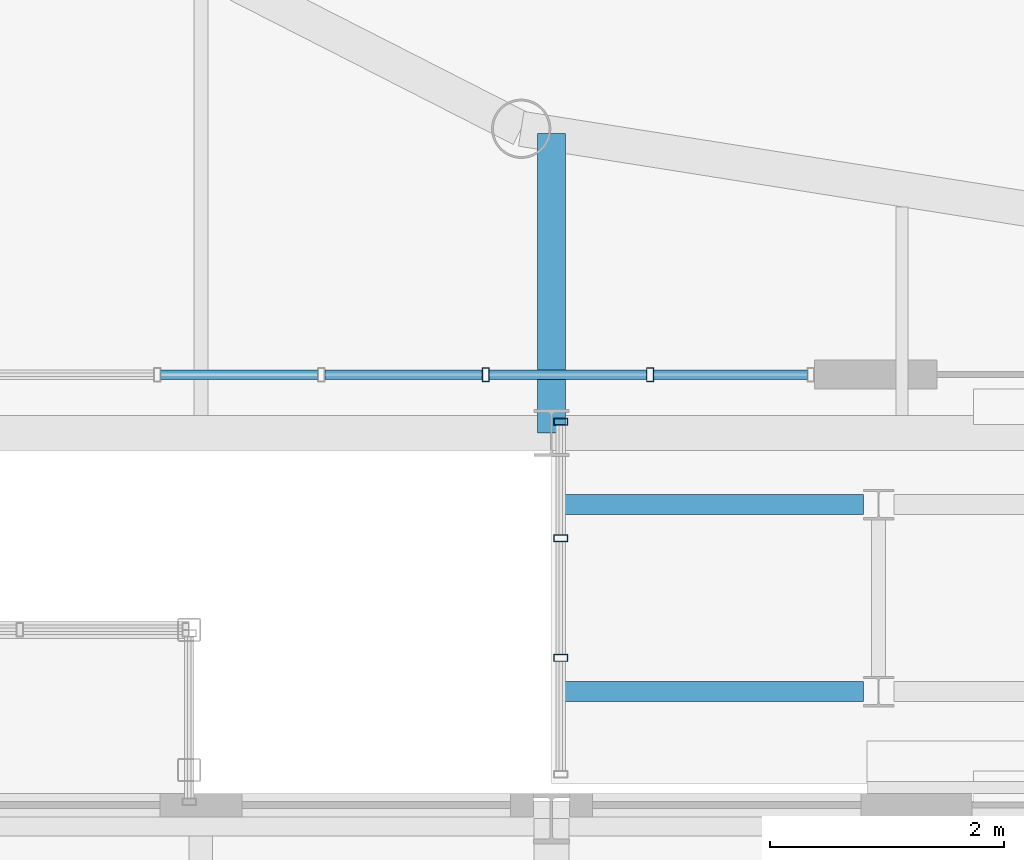
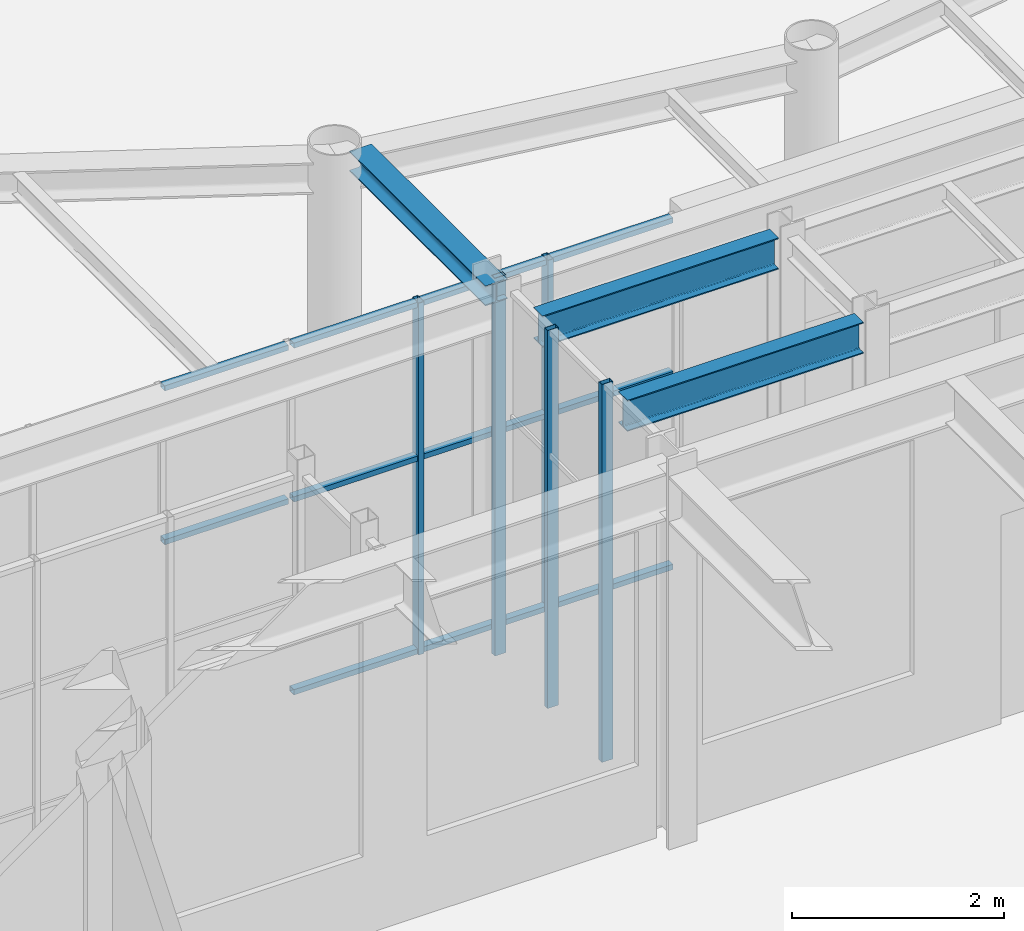
# One storey, part 45 of 149: 16 members, 3 beams, 2 elements without a shape of their own.
"""IFC4 building model written with IfcOpenShell, lengths in metres."""

from ifc_helpers import new_model, si_unit, direction, frame, origin, origin_2d, place, context, subcontext, project, spatial, hollow_rectangle, i_section, extrude, material, layer, layer_set, material_profile, profile_set, type_object, element, aggregate, save


model = new_model("IFC4")

# Units and contexts
model_context = context("Model", 3, precision=1e-05, world=origin(), true_north=direction((0.0, 1.0)))
body_context = subcontext(model_context, "Body", "Model", "MODEL_VIEW")
ifc_project = project(units=[si_unit("LENGTHUNIT", "METRE"), si_unit("AREAUNIT", "SQUARE_METRE"), si_unit("VOLUMEUNIT", "CUBIC_METRE"), si_unit("PLANEANGLEUNIT", "RADIAN"), si_unit("MASSUNIT", "GRAM", prefix="KILO")], contexts=[model_context])

# Site, building, storey
site_placement = place(None, origin())
site = spatial("IfcSite", under=ifc_project, at=site_placement, CompositionType="ELEMENT")
building_placement = place(site_placement, origin())
building = spatial("IfcBuilding", under=site, at=building_placement, Name="Kallimachos Central Library", CompositionType="ELEMENT")
storey_placement = place(building_placement, frame((0.0, 0.0, 9.89990234375)))
storey = spatial("IfcBuildingStorey", under=building, at=storey_placement, Name="L02", CompositionType="ELEMENT", Elevation=9.89990234375)

# Curtain wall, members
ifc_material_1 = material(Name="Aluminium and laminated glass", Category="aluminium")
curtain_wall_type_1 = type_object("IfcCurtainWallType", Name="Link glazed wall", PredefinedType="NOTDEFINED", material=ifc_material_1)
curtain_wall_1_placement = place(storey_placement, origin())
curtain_wall_1 = element("IfcCurtainWall", 1, at=curtain_wall_1_placement, inside=storey, type_object=curtain_wall_type_1, Name="Reading Link glazed wall L02", PredefinedType="NOTDEFINED")
ifc_material_2 = material(Name="Anodised aluminium", Category="aluminium")
ifc_material_profile_1 = material_profile(ifc_material_2, hollow_rectangle(XDim=0.06005859375, YDim=0.1201171875, WallThickness=0.00390625, at=origin_2d()), Name="ALU MULLION 60x120")
ifc_profile_set_1 = profile_set([ifc_material_profile_1], Name="Anodised aluminium")
member_type_1 = type_object("IfcMemberType", Name="ALU MULLION 60x120 mullion", PredefinedType="MULLION", material=ifc_profile_set_1)
member_1_placement = place(storey_placement, frame((83.580078125, 85.22509765625, 0.0), z_axis=(0.0, 0.0, 1.0), x_axis=(0.0, 1.0, 0.0)))
member_1 = element("IfcMember", 2, at=member_1_placement, type_object=member_type_1, Name="CW66 mullion 2", PredefinedType="MULLION", context=body_context, shape_type="SweptSolid", body=[
    extrude(hollow_rectangle(XDim=0.06005859375, YDim=0.1201171875, WallThickness=0.00390625, at=origin_2d()), origin(), (0.0, 0.0, 1.0), 4.35009765625),
])
member_2_placement = place(storey_placement, frame((83.580078125, 86.25, 0.0), z_axis=(0.0, 0.0, 1.0), x_axis=(0.0, 1.0, 0.0)))
member_2 = element("IfcMember", 3, at=member_2_placement, type_object=member_type_1, Name="CW66 mullion 3", PredefinedType="MULLION", context=body_context, shape_type="SweptSolid", body=[
    extrude(hollow_rectangle(XDim=0.06005859375, YDim=0.1201171875, WallThickness=0.00390625, at=origin_2d()), origin(), (0.0, 0.0, 1.0), 4.35009765625),
])
member_3_placement = place(storey_placement, frame((83.580078125, 87.2451171875, 0.0), z_axis=(0.0, 0.0, 1.0), x_axis=(0.0, 1.0, 0.0)))
member_3 = element("IfcMember", 4, at=member_3_placement, type_object=member_type_1, Name="CW66 mullion 4", PredefinedType="MULLION", context=body_context, shape_type="SweptSolid", body=[
    extrude(hollow_rectangle(XDim=0.06005859375, YDim=0.1201171875, WallThickness=0.00390625, at=origin_2d()), origin(), (0.0, 0.0, 1.0), 4.35009765625),
])
aggregate(curtain_wall_1, [member_1, member_2, member_3])

ifc_material_3 = material(Name="Anodised aluminium and laminated glass", Category="aluminium")
ifc_layer = layer(ifc_material_3, 0.159912109375)
ifc_layer_set = layer_set([ifc_layer], Name="Glass box curtain wall")
curtain_wall_type_2 = type_object("IfcCurtainWallType", Name="Glass box curtain wall", PredefinedType="NOTDEFINED", material=ifc_layer_set)
curtain_wall_2_placement = place(storey_placement, origin())
curtain_wall_2 = element("IfcCurtainWall", 5, at=curtain_wall_2_placement, inside=storey, type_object=curtain_wall_type_2, Name="Glass box curtain wall S L02", PredefinedType="NOTDEFINED")
ifc_material_4 = material(Name="Anodised aluminium", Category="aluminium")
ifc_material_profile_2 = material_profile(ifc_material_4, hollow_rectangle(XDim=0.06005859375, YDim=0.1201171875, WallThickness=0.00390625, at=origin_2d()), Name="ALU MULLION 60x120")
ifc_profile_set_2 = profile_set([ifc_material_profile_2], Name="Anodised aluminium")
member_type_2 = type_object("IfcMemberType", Name="Glass box mullion 60x120", PredefinedType="MULLION", material=ifc_profile_set_2)
member_4_placement = place(storey_placement, frame((82.9375, 87.64990234375, 0.0), z_axis=(0.0, 0.0, 1.0), x_axis=(1.0, 0.0, 0.0)))
member_4 = element("IfcMember", 6, at=member_4_placement, type_object=member_type_2, Name="CW12 mullion 7", PredefinedType="MULLION", context=body_context, shape_type="SweptSolid", body=[
    extrude(hollow_rectangle(XDim=0.06005859375, YDim=0.1201171875, WallThickness=0.00390625, at=origin_2d()), origin(), (0.0, 0.0, 1.0), 4.050048828125),
])
member_5_placement = place(storey_placement, frame((84.34375, 87.64990234375, 0.0), z_axis=(0.0, 0.0, 1.0), x_axis=(1.0, 0.0, 0.0)))
member_5 = element("IfcMember", 7, at=member_5_placement, type_object=member_type_2, Name="CW12 mullion 8", PredefinedType="MULLION", context=body_context, shape_type="SweptSolid", body=[
    extrude(hollow_rectangle(XDim=0.06005859375, YDim=0.1201171875, WallThickness=0.00390625, at=origin_2d()), origin(), (0.0, 0.0, 1.0), 4.050048828125),
])
ifc_material_5 = material(Name="Anodised aluminium", Category="aluminium")
ifc_material_profile_3 = material_profile(ifc_material_5, hollow_rectangle(XDim=0.06005859375, YDim=0.080078125, WallThickness=0.00390625, at=origin_2d()), Name="ALU TRANSOM 60x80")
ifc_profile_set_3 = profile_set([ifc_material_profile_3], Name="Anodised aluminium")
member_type_3 = type_object("IfcMemberType", Name="Glass box transom 60x80", PredefinedType="USERDEFINED", material=ifc_profile_set_3)
member_6_placement = place(storey_placement, frame((80.155029296875, 87.64990234375, 2.25), z_axis=(1.0, 0.0, 0.0), x_axis=(0.0, 0.0, 1.0)))
member_6 = element("IfcMember", 8, at=member_6_placement, type_object=member_type_3, Name="CW12 transom 5.2", ObjectType="TRANSOM", PredefinedType="USERDEFINED", context=body_context, shape_type="SweptSolid", body=[
    extrude(hollow_rectangle(XDim=0.06005859375, YDim=0.080078125, WallThickness=0.00390625, at=origin_2d()), origin(), (0.0, 0.0, 1.0), 1.34619140625),
])
member_7_placement = place(storey_placement, frame((80.155029296875, 87.64990234375, 4.02001953125), z_axis=(1.0, 0.0, 0.0), x_axis=(0.0, 0.0, 1.0)))
member_7 = element("IfcMember", 9, at=member_7_placement, type_object=member_type_3, Name="CW12 transom 5.3", ObjectType="TRANSOM", PredefinedType="USERDEFINED", context=body_context, shape_type="SweptSolid", body=[
    extrude(hollow_rectangle(XDim=0.06005859375, YDim=0.080078125, WallThickness=0.00390625, at=origin_2d()), origin(), (0.0, 0.0, 1.0), 1.34619140625),
])
member_8_placement = place(storey_placement, frame((81.561279296875, 87.64990234375, 0.030029296875), z_axis=(1.0, 0.0, 0.0), x_axis=(0.0, 0.0, 1.0)))
member_8 = element("IfcMember", 10, at=member_8_placement, type_object=member_type_3, Name="CW12 transom 6.1", ObjectType="TRANSOM", PredefinedType="USERDEFINED", context=body_context, shape_type="SweptSolid", body=[
    extrude(hollow_rectangle(XDim=0.06005859375, YDim=0.080078125, WallThickness=0.00390625, at=origin_2d()), origin(), (0.0, 0.0, 1.0), 1.34619140625),
])
member_9_placement = place(storey_placement, frame((81.561279296875, 87.64990234375, 2.25), z_axis=(1.0, 0.0, 0.0), x_axis=(0.0, 0.0, 1.0)))
member_9 = element("IfcMember", 11, at=member_9_placement, type_object=member_type_3, Name="CW12 transom 6.2", ObjectType="TRANSOM", PredefinedType="USERDEFINED", context=body_context, shape_type="SweptSolid", body=[
    extrude(hollow_rectangle(XDim=0.06005859375, YDim=0.080078125, WallThickness=0.00390625, at=origin_2d()), origin(), (0.0, 0.0, 1.0), 1.34619140625),
])
member_10_placement = place(storey_placement, frame((81.561279296875, 87.64990234375, 4.02001953125), z_axis=(1.0, 0.0, 0.0), x_axis=(0.0, 0.0, 1.0)))
member_10 = element("IfcMember", 12, at=member_10_placement, type_object=member_type_3, Name="CW12 transom 6.3", ObjectType="TRANSOM", PredefinedType="USERDEFINED", context=body_context, shape_type="SweptSolid", body=[
    extrude(hollow_rectangle(XDim=0.06005859375, YDim=0.080078125, WallThickness=0.00390625, at=origin_2d()), origin(), (0.0, 0.0, 1.0), 1.34619140625),
])
member_11_placement = place(storey_placement, frame((82.967529296875, 87.64990234375, 0.030029296875), z_axis=(1.0, 0.0, 0.0), x_axis=(0.0, 0.0, 1.0)))
member_11 = element("IfcMember", 13, at=member_11_placement, type_object=member_type_3, Name="CW12 transom 7.1", ObjectType="TRANSOM", PredefinedType="USERDEFINED", context=body_context, shape_type="SweptSolid", body=[
    extrude(hollow_rectangle(XDim=0.06005859375, YDim=0.080078125, WallThickness=0.00390625, at=origin_2d()), origin(), (0.0, 0.0, 1.0), 1.34619140625),
])
member_12_placement = place(storey_placement, frame((82.967529296875, 87.64990234375, 2.25), z_axis=(1.0, 0.0, 0.0), x_axis=(0.0, 0.0, 1.0)))
member_12 = element("IfcMember", 14, at=member_12_placement, type_object=member_type_3, Name="CW12 transom 7.2", ObjectType="TRANSOM", PredefinedType="USERDEFINED", context=body_context, shape_type="SweptSolid", body=[
    extrude(hollow_rectangle(XDim=0.06005859375, YDim=0.080078125, WallThickness=0.00390625, at=origin_2d()), origin(), (0.0, 0.0, 1.0), 1.34619140625),
])
member_13_placement = place(storey_placement, frame((82.967529296875, 87.64990234375, 4.02001953125), z_axis=(1.0, 0.0, 0.0), x_axis=(0.0, 0.0, 1.0)))
member_13 = element("IfcMember", 15, at=member_13_placement, type_object=member_type_3, Name="CW12 transom 7.3", ObjectType="TRANSOM", PredefinedType="USERDEFINED", context=body_context, shape_type="SweptSolid", body=[
    extrude(hollow_rectangle(XDim=0.06005859375, YDim=0.080078125, WallThickness=0.00390625, at=origin_2d()), origin(), (0.0, 0.0, 1.0), 1.34619140625),
])
member_14_placement = place(storey_placement, frame((84.373779296875, 87.64990234375, 0.030029296875), z_axis=(1.0, 0.0, 0.0), x_axis=(0.0, 0.0, 1.0)))
member_14 = element("IfcMember", 16, at=member_14_placement, type_object=member_type_3, Name="CW12 transom 8.1", ObjectType="TRANSOM", PredefinedType="USERDEFINED", context=body_context, shape_type="SweptSolid", body=[
    extrude(hollow_rectangle(XDim=0.06005859375, YDim=0.080078125, WallThickness=0.00390625, at=origin_2d()), origin(), (0.0, 0.0, 1.0), 1.316162109375),
])
member_15_placement = place(storey_placement, frame((84.373779296875, 87.64990234375, 2.25), z_axis=(1.0, 0.0, 0.0), x_axis=(0.0, 0.0, 1.0)))
member_15 = element("IfcMember", 17, at=member_15_placement, type_object=member_type_3, Name="CW12 transom 8.2", ObjectType="TRANSOM", PredefinedType="USERDEFINED", context=body_context, shape_type="SweptSolid", body=[
    extrude(hollow_rectangle(XDim=0.06005859375, YDim=0.080078125, WallThickness=0.00390625, at=origin_2d()), origin(), (0.0, 0.0, 1.0), 1.316162109375),
])
member_16_placement = place(storey_placement, frame((84.373779296875, 87.64990234375, 4.02001953125), z_axis=(1.0, 0.0, 0.0), x_axis=(0.0, 0.0, 1.0)))
member_16 = element("IfcMember", 18, at=member_16_placement, type_object=member_type_3, Name="CW12 transom 8.3", ObjectType="TRANSOM", PredefinedType="USERDEFINED", context=body_context, shape_type="SweptSolid", body=[
    extrude(hollow_rectangle(XDim=0.06005859375, YDim=0.080078125, WallThickness=0.00390625, at=origin_2d()), origin(), (0.0, 0.0, 1.0), 1.316162109375),
])
aggregate(curtain_wall_2, [member_4, member_5, member_6, member_7, member_8, member_9, member_10, member_11, member_12, member_13, member_14, member_15, member_16])

# Beams
ifc_material_6 = material(Name="Steel S355J2", Category="steel")
ifc_material_profile_4 = material_profile(ifc_material_6, i_section(OverallWidth=0.239990234375, OverallDepth=0.22998046875, WebThickness=0.007568359375, FlangeThickness=0.011962890625, FilletRadius=0.02099609375, at=origin_2d()), Name="HEA 240")
ifc_profile_set_4 = profile_set([ifc_material_profile_4], Name="Steel S355J2")
beam_type_1 = type_object("IfcBeamType", Name="HEA 240 beam", PredefinedType="BEAM", material=ifc_profile_set_4)
beam_placement = place(storey_placement, frame((83.5, 87.14990234375, 4.235107421875), z_axis=(0.0, 1.0, 0.0), x_axis=(-1.0, 0.0, 0.0)))
element("IfcBeam", 19, at=beam_placement, inside=storey, type_object=beam_type_1, Name="V1-BEM-L02-028", PredefinedType="BEAM", context=body_context, shape_type="SweptSolid", body=[
    extrude(i_section(OverallWidth=0.239990234375, OverallDepth=0.22998046875, WebThickness=0.007568359375, FlangeThickness=0.011962890625, FilletRadius=0.02099609375, at=origin_2d()), origin(), (0.0, 0.0, 1.0), 2.562744140625),
])
ifc_material_7 = material(Name="Steel S355J2", Category="steel")
ifc_material_profile_5 = material_profile(ifc_material_7, i_section(OverallWidth=0.169921875, OverallDepth=0.360107421875, WebThickness=0.008056640625, FlangeThickness=0.0126953125, FilletRadius=0.01806640625, at=origin_2d()), Name="IPE 360")
ifc_profile_set_5 = profile_set([ifc_material_profile_5], Name="Steel S355J2")
beam_type_2 = type_object("IfcBeamType", Name="IPE 360 beam", PredefinedType="BEAM", material=ifc_profile_set_5)
for number, where, z_axis, x_axis, name in (
    (20, (83.60009765625, 84.9375, 4.170166015625), (1.0, 0.0, 0.0), (0.0, 1.0, 0.0), "links-BEM-L02-001"),
    (21, (83.60009765625, 86.53759765625, 4.170166015625), (1.0, 0.0, 0.0), (0.0, 1.0, 0.0), "links-BEM-L02-004"),
):
    element("IfcBeam", number, at=place(storey_placement, frame(where, z_axis=z_axis, x_axis=x_axis)), inside=storey, type_object=beam_type_2, Name=name, PredefinedType="BEAM", context=body_context, shape_type="SweptSolid", body=[
        extrude(i_section(OverallWidth=0.169921875, OverallDepth=0.360107421875, WebThickness=0.008056640625, FlangeThickness=0.0126953125, FilletRadius=0.01806640625, at=origin_2d()), origin(), (0.0, 0.0, 1.0), 2.56982421875),
    ])

save(model, "model.ifc")
